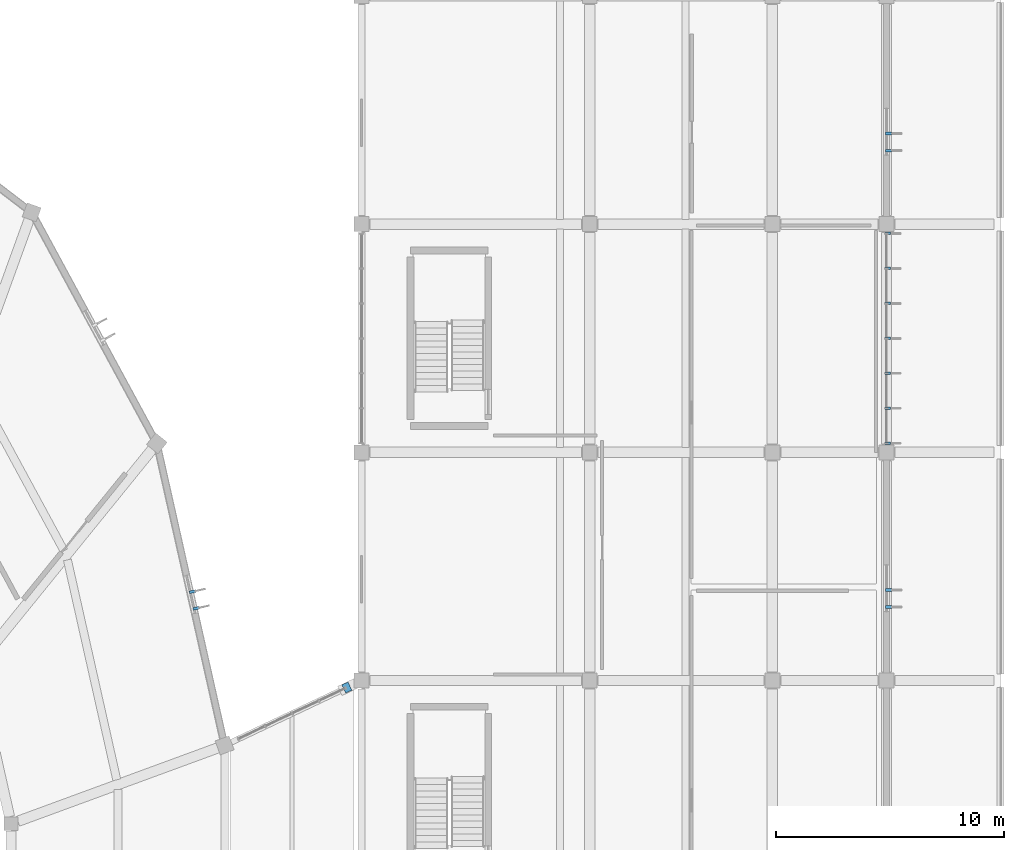
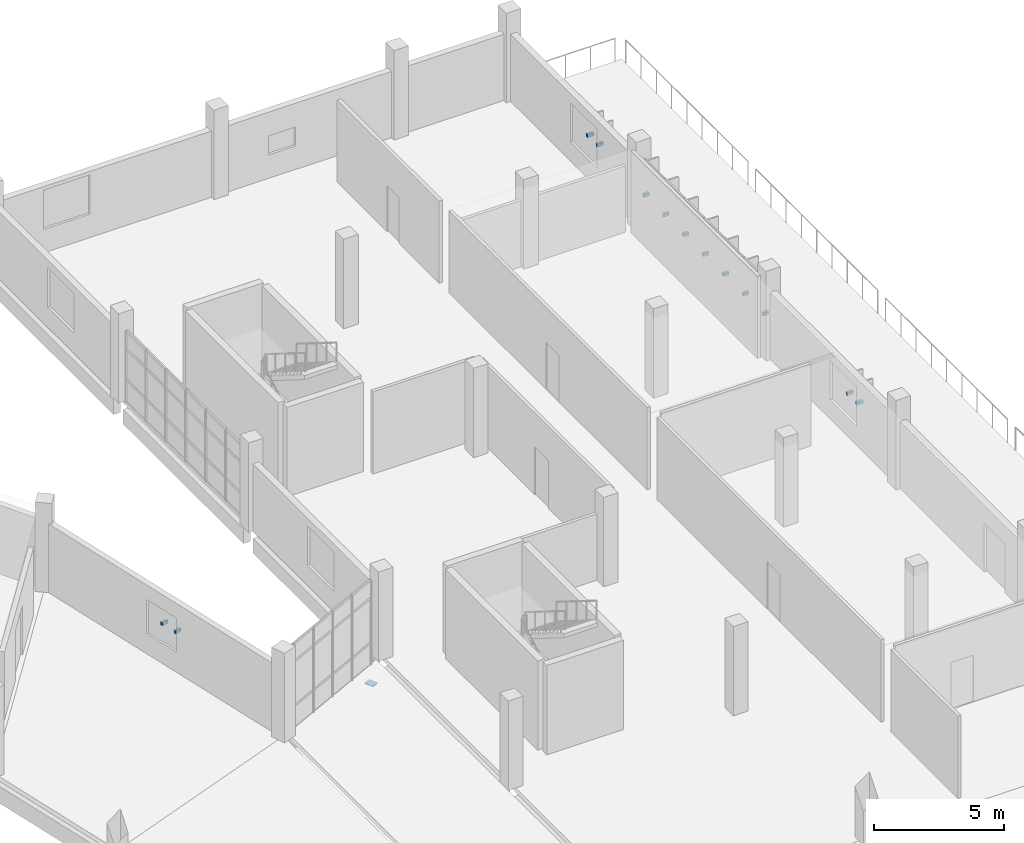
# One storey, part 120 of 142: 14 discrete accessories.
"""IFC4 building model written with IfcOpenShell, lengths in metres."""

import ifcopenshell
import ifcopenshell.guid

model = None  # the IFC model being written
_history = None  # IfcOwnerHistory: only IFC2X3 demands one
_inside = {}  # id of a spatial element -> (the spatial element, [elements in it])
_under = {}  # id of a project, library or spatial element -> (it, [spatial elements below it])
_declared = {}  # id of a project -> (the project, [libraries it declares])
_typed = {}  # id of a type object -> (the type object, [elements of that type])
_made_of = {}  # id of a material, layer set ... -> (it, [elements and type objects made of it])


def new_model(schema):
    """Start an empty IFC model of exactly this schema.

    Asked for "IFC4X3", IfcOpenShell would pick the latest addendum, in which some entities
    have other attributes; the version numbers below select the first issue.
    IFC2X3 requires an IfcOwnerHistory on every rooted entity: one is made here for all.
    """
    global model, _history
    if schema == "IFC4X3":
        model = ifcopenshell.file(schema_version=(4, 3, 0, 0))
    else:
        model = ifcopenshell.file(schema=schema)
    _inside.clear()
    _under.clear()
    _declared.clear()
    _typed.clear()
    _made_of.clear()
    _history = None
    if model.schema == "IFC2X3":
        org = make("IfcOrganization", Name="unknown")
        user = make(
            "IfcPersonAndOrganization",
            ThePerson=make("IfcPerson", FamilyName="unknown"),
            TheOrganization=org,
        )
        app = make(
            "IfcApplication",
            ApplicationDeveloper=org,
            Version="unknown",
            ApplicationFullName="unknown",
            ApplicationIdentifier="unknown",
        )
        _history = make(
            "IfcOwnerHistory",
            OwningUser=user,
            OwningApplication=app,
            ChangeAction="ADDED",
            CreationDate=0,
        )
    return model


def make(cls, **values):
    """One entity of the class cls with the attributes given. An attribute that is None is left unset."""
    return model.create_entity(
        cls, **{name: value for name, value in values.items() if value is not None}
    )


def rooted(cls, **values):
    """An entity with a GlobalId (a new one), such as an element, a storey or a relation."""
    return make(cls, GlobalId=ifcopenshell.guid.new(), OwnerHistory=_history, **values)


def si_unit(unit_type, name, prefix=None):
    """IfcSIUnit, for example si_unit("LENGTHUNIT", "METRE", prefix="MILLI")."""
    return make("IfcSIUnit", UnitType=unit_type, Prefix=prefix, Name=name)


def assignment(units):
    """IfcUnitAssignment: the units of a project."""
    return None if units is None else make("IfcUnitAssignment", Units=units)


def point(xyz):
    """IfcCartesianPoint."""
    return None if xyz is None else make("IfcCartesianPoint", Coordinates=xyz)


def direction(xyz):
    """IfcDirection."""
    return None if xyz is None else make("IfcDirection", DirectionRatios=xyz)


def frame(location, z_axis=None, x_axis=None):
    """IfcAxis2Placement3D, a coordinate frame: its origin and axes. An axis left out is left unset."""
    return make(
        "IfcAxis2Placement3D",
        Location=point(location),
        Axis=direction(z_axis),
        RefDirection=direction(x_axis),
    )


def frame_2d(location, x_axis=None):
    """IfcAxis2Placement2D, a coordinate frame in the plane: its origin and x axis."""
    return make(
        "IfcAxis2Placement2D", Location=point(location), RefDirection=direction(x_axis)
    )


def origin():
    """The frame at (0, 0, 0) with its axes left unset."""
    return frame((0.0, 0.0, 0.0))


def origin_2d():
    """The frame at (0, 0) in the plane with its x axis left unset."""
    return frame_2d((0.0, 0.0))


def place(relative_to, where):
    """IfcLocalPlacement: puts the frame where relative to a parent placement (None: the world)."""
    return make(
        "IfcLocalPlacement", PlacementRelTo=relative_to, RelativePlacement=where
    )


def context(
    kind, dimensions, precision=None, world=None, true_north=None, identifier=None
):
    """IfcGeometricRepresentationContext, for example the 3D "Model" context."""
    return make(
        "IfcGeometricRepresentationContext",
        ContextIdentifier=identifier,
        ContextType=kind,
        CoordinateSpaceDimension=dimensions,
        Precision=precision,
        WorldCoordinateSystem=world,
        TrueNorth=true_north,
    )


def subcontext(parent, identifier, kind, view, scale=None):
    """IfcGeometricRepresentationSubContext, for example "Body" below "Model"."""
    return make(
        "IfcGeometricRepresentationSubContext",
        ContextIdentifier=identifier,
        ContextType=kind,
        ParentContext=parent,
        TargetScale=scale,
        TargetView=view,
    )


def project(units=None, contexts=None):
    """IfcProject with its units and contexts."""
    return rooted(
        "IfcProject",
        Name="project",
        RepresentationContexts=contexts,
        UnitsInContext=assignment(units),
    )


def spatial(cls, under=None, at=None, **own):
    """A site, building, storey or space (cls), placed at a placement, below another one or the project."""
    s = rooted(cls, ObjectPlacement=at, **own)
    if under is not None:
        _under.setdefault(under.id(), (under, []))[1].append(s)
    return s


def profile(cls, at=None, kind="AREA", **sizes):
    """A parametric profile (cls). Its sizes go by their IFC names, for example OverallWidth=200.0."""
    return make(cls, ProfileType=kind, Position=at, **sizes)


def rectangle(**sizes):
    """IfcRectangleProfileDef."""
    return profile("IfcRectangleProfileDef", **sizes)


def extrude(swept, where, along, depth):
    """IfcExtrudedAreaSolid: the profile swept, set in the frame where, extruded along a direction by depth."""
    return make(
        "IfcExtrudedAreaSolid",
        SweptArea=swept,
        Position=where,
        ExtrudedDirection=direction(along),
        Depth=depth,
    )


def shape(context_of_items, identifier, shape_type, items):
    """IfcShapeRepresentation: the items that make up one representation, for example the "Body"."""
    return make(
        "IfcShapeRepresentation",
        ContextOfItems=context_of_items,
        RepresentationIdentifier=identifier,
        RepresentationType=shape_type,
        Items=items,
    )


def material(Name=None, Category=None):
    """IfcMaterial."""
    return make("IfcMaterial", Name=Name, Category=Category)


def made_of(thing, what):
    """Note that an element or type object is made of a material, layer set ...; save() writes the relation."""
    if what is not None:
        _made_of.setdefault(what.id(), (what, []))[1].append(thing)
    return thing


def type_object(cls, material=None, **own):
    """A type object (cls), such as IfcWallType, which elements share."""
    return made_of(rooted(cls, **own), material)


def element(
    cls,
    number,
    at=None,
    inside=None,
    cuts=None,
    type_object=None,
    material=None,
    context=None,
    identifier="Body",
    shape_type=None,
    held_by="IfcProductDefinitionShape",
    body=None,
    shapes=None,
    **own,
):
    """One element of the class cls, such as IfcWall. Its Tag is "e" and its number.

    at: its placement. inside: the storey or other place that contains it. cuts: it is an
    opening in that element (IfcRelVoidsElement). A single representation is given by context,
    identifier, shape_type and body (its items); several are given by shapes. held_by: the class
    of the entity that holds the representations. save() writes the other relations.
    """
    e = rooted(cls, Tag="e%d" % number, ObjectPlacement=at, **own)
    if body is not None:
        shapes = [shape(context, identifier, shape_type, body)]
    if shapes is not None:
        e.Representation = make(held_by, Representations=shapes)
    if inside is not None:
        _inside.setdefault(inside.id(), (inside, []))[1].append(e)
    if cuts is not None:
        rooted(
            "IfcRelVoidsElement", RelatingBuildingElement=cuts, RelatedOpeningElement=e
        )
    if type_object is not None:
        _typed.setdefault(type_object.id(), (type_object, []))[1].append(e)
    return made_of(e, material)


def aggregate(whole, parts):
    """IfcRelAggregates: a whole, such as a stair, and the parts it consists of."""
    return rooted("IfcRelAggregates", RelatingObject=whole, RelatedObjects=parts)


def save(model, path):
    """Write the relations noted so far, then the file.

    IfcRelAggregates (storeys below a building ...), IfcRelContainedInSpatialStructure (elements
    in a storey), IfcRelDefinesByType, IfcRelAssociatesMaterial and IfcRelDeclares: one each for
    every whole, place, type object, material and project.
    """
    for whole, parts in _under.values():
        aggregate(whole, parts)
    for where, things in _inside.values():
        rooted(
            "IfcRelContainedInSpatialStructure",
            RelatedElements=things,
            RelatingStructure=where,
        )
    for kind, things in _typed.values():
        rooted("IfcRelDefinesByType", RelatedObjects=things, RelatingType=kind)
    for what, things in _made_of.values():
        rooted("IfcRelAssociatesMaterial", RelatedObjects=things, RelatingMaterial=what)
    for by, libraries in _declared.values():
        rooted("IfcRelDeclares", RelatingContext=by, RelatedDefinitions=libraries)
    model.write(path)


model = new_model("IFC4")

# Units and contexts
model_context = context("Model", 3, precision=1e-05, world=origin(), true_north=direction((0.0, 1.0)))
body_context = subcontext(model_context, "Body", "Model", "MODEL_VIEW")
ifc_project = project(units=[si_unit("LENGTHUNIT", "METRE"), si_unit("AREAUNIT", "SQUARE_METRE"), si_unit("VOLUMEUNIT", "CUBIC_METRE"), si_unit("PLANEANGLEUNIT", "RADIAN"), si_unit("MASSUNIT", "GRAM", prefix="KILO")], contexts=[model_context])

# Site, building, storey
site_placement = place(None, origin())
site = spatial("IfcSite", under=ifc_project, at=site_placement, CompositionType="ELEMENT")
building_placement = place(site_placement, origin())
building = spatial("IfcBuilding", under=site, at=building_placement, Name="Corvandel Quay Wholesale Market", CompositionType="ELEMENT")
storey_placement = place(building_placement, frame((0.0, 0.0, 10.800048828125)))
storey = spatial("IfcBuildingStorey", under=building, at=storey_placement, Name="L02", CompositionType="ELEMENT", Elevation=10.800048828125)

# Discrete accessories
ifc_material_1 = material(Name="Austenitic stainless steel Grade 316", Category="steel")
discrete_accessory_type_1 = type_object("IfcDiscreteAccessoryType", Name="Stainless Solar Fin Fixing Bracket BRK01", PredefinedType="USERDEFINED", material=ifc_material_1)
for number, where, z_axis, x_axis, name in (
    (1, (212.75537109375, 73.164306640625, 1.68017578125), (0.0, 0.0, 1.0), (0.975726024471, 0.218994806262, 0.0), "Fin Bracket 0612"),
    (2, (212.59130859375, 73.89599609375, 1.68017578125), (0.0, 0.0, 1.0), (0.975726024471, 0.218994806262, 0.0), "Fin Bracket 0613"),
    (3, (243.10009765625, 73.219970703125, 1.7548828125), (0.0, 0.0, 1.0), (1.0, 0.0, 0.0), "Fin Bracket 0863"),
    (4, (243.10009765625, 73.969970703125, 1.7548828125), (0.0, 0.0, 1.0), (1.0, 0.0, 0.0), "Fin Bracket 0864"),
):
    element("IfcDiscreteAccessory", number, at=place(storey_placement, frame(where, z_axis=z_axis, x_axis=x_axis)), inside=storey, type_object=discrete_accessory_type_1, Name=name, ObjectType="BRACKET", PredefinedType="USERDEFINED", context=body_context, shape_type="SweptSolid", body=[
        extrude(rectangle(XDim=0.280029296875, YDim=0.1201171875, at=origin_2d()), origin(), (0.0, 0.0, 1.0), 0.139892578125),
    ])
for number, where, z_axis, x_axis, name in (
    (5, (243.06005859375, 80.39990234375, 1.60498046875), (0.0, 0.0, 1.0), (1.0, 0.0, 0.0), "Fin Bracket 0865"),
    (6, (243.06005859375, 81.933349609375, 1.60498046875), (0.0, 0.0, 1.0), (1.0, 0.0, 0.0), "Fin Bracket 0866"),
    (7, (243.06005859375, 83.466796875, 1.60498046875), (0.0, 0.0, 1.0), (1.0, 0.0, 0.0), "Fin Bracket 0867"),
    (8, (243.06005859375, 85.0, 1.60498046875), (0.0, 0.0, 1.0), (1.0, 0.0, 0.0), "Fin Bracket 0868"),
    (9, (243.06005859375, 86.533203125, 1.60498046875), (0.0, 0.0, 1.0), (1.0, 0.0, 0.0), "Fin Bracket 0869"),
    (10, (243.06005859375, 88.066650390625, 1.60498046875), (0.0, 0.0, 1.0), (1.0, 0.0, 0.0), "Fin Bracket 0870"),
    (11, (243.06005859375, 89.60009765625, 1.60498046875), (0.0, 0.0, 1.0), (1.0, 0.0, 0.0), "Fin Bracket 0871"),
):
    element("IfcDiscreteAccessory", number, at=place(storey_placement, frame(where, z_axis=z_axis, x_axis=x_axis)), inside=storey, type_object=discrete_accessory_type_1, Name=name, ObjectType="BRACKET", PredefinedType="USERDEFINED", context=body_context, shape_type="SweptSolid", body=[
        extrude(rectangle(XDim=0.239990234375, YDim=0.1201171875, at=origin_2d()), origin(), (0.0, 0.0, 1.0), 0.139892578125),
    ])
for number, where, z_axis, x_axis, name in (
    (12, (243.10009765625, 93.219970703125, 1.7548828125), (0.0, 0.0, 1.0), (1.0, 0.0, 0.0), "Fin Bracket 0872"),
    (13, (243.10009765625, 93.969970703125, 1.7548828125), (0.0, 0.0, 1.0), (1.0, 0.0, 0.0), "Fin Bracket 0873"),
):
    element("IfcDiscreteAccessory", number, at=place(storey_placement, frame(where, z_axis=z_axis, x_axis=x_axis)), inside=storey, type_object=discrete_accessory_type_1, Name=name, ObjectType="BRACKET", PredefinedType="USERDEFINED", context=body_context, shape_type="SweptSolid", body=[
        extrude(rectangle(XDim=0.280029296875, YDim=0.1201171875, at=origin_2d()), origin(), (0.0, 0.0, 1.0), 0.139892578125),
    ])
ifc_material_2 = material(Name="PTFE elastomeric bearing assembly")
discrete_accessory_type_2 = type_object("IfcDiscreteAccessoryType", Name="Unguided Bi-Directional PTFE Sliding Bearing SBG01", PredefinedType="USERDEFINED", material=ifc_material_2)
discrete_accessory_placement = place(storey_placement, frame((219.353759765625, 69.694091796875, -0.943115234375), z_axis=(0.0, 0.0, 1.0), x_axis=(0.903933318548, 0.427673421689, 0.0)))
element("IfcDiscreteAccessory", 14, at=discrete_accessory_placement, inside=storey, type_object=discrete_accessory_type_2, Name="PTFE Sliding Bearing SBG-022", ObjectType="SLIDING BEARING", PredefinedType="USERDEFINED", context=body_context, shape_type="SweptSolid", body=[
    extrude(rectangle(XDim=0.300048828125, YDim=0.39990234375, at=origin_2d()), origin(), (0.0, 0.0, 1.0), 0.0400390625),
])

save(model, "model.ifc")
